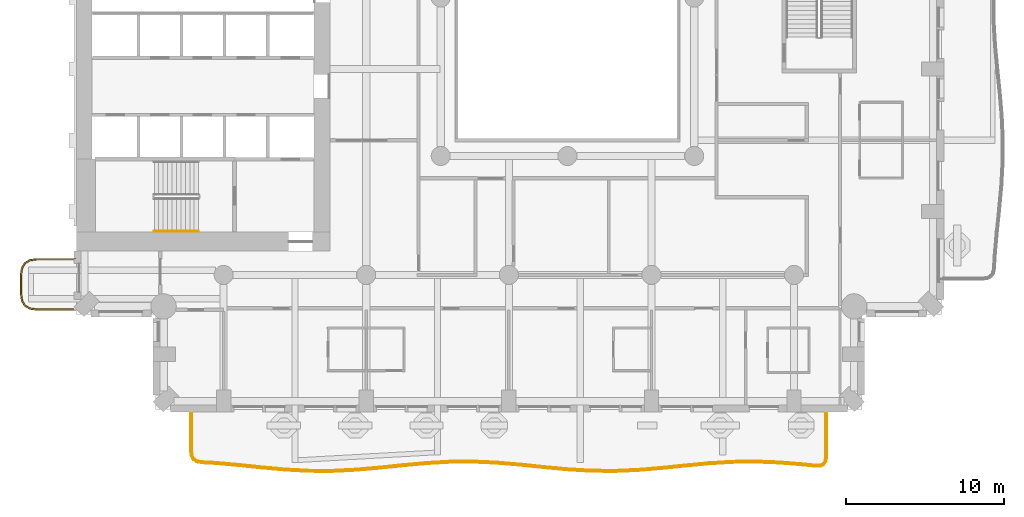
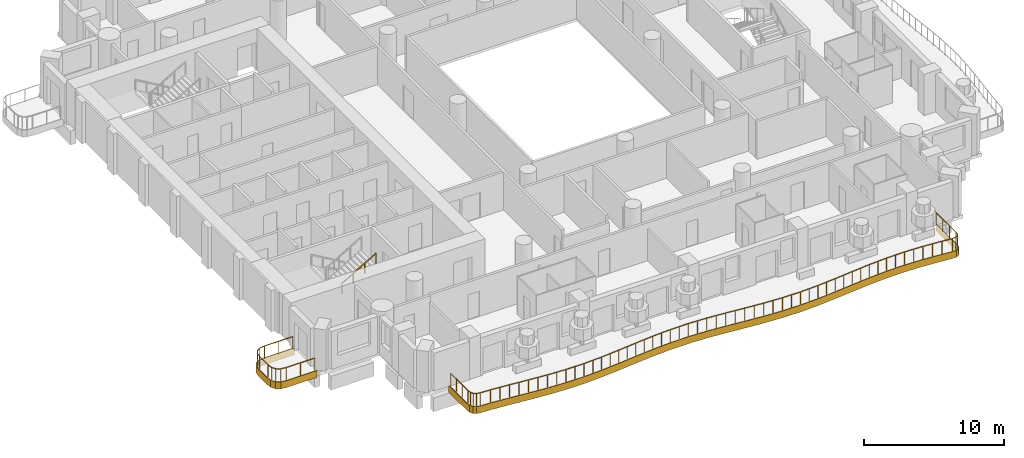
# One storey, part 12 of 19: 3 railings, 2 coverings.
"""IFC4 building model written with IfcOpenShell, lengths in metres."""

from ifc_helpers import new_model, si_unit, direction, frame, origin, origin_2d, place, context, subcontext, project, spatial, polyline, rectangle, outline, extrude, material, layer, layer_set, type_object, element, save


model = new_model("IFC4")

# Units and contexts
model_context = context("Model", 3, precision=1e-05, world=origin(), true_north=direction((0.0, 1.0)))
body_context = subcontext(model_context, "Body", "Model", "MODEL_VIEW")
ifc_project = project(units=[si_unit("LENGTHUNIT", "METRE"), si_unit("AREAUNIT", "SQUARE_METRE"), si_unit("VOLUMEUNIT", "CUBIC_METRE"), si_unit("PLANEANGLEUNIT", "RADIAN"), si_unit("MASSUNIT", "GRAM", prefix="KILO")], contexts=[model_context])

# Site, building, storey
site_placement = place(None, origin())
site = spatial("IfcSite", under=ifc_project, at=site_placement, CompositionType="ELEMENT")
building_placement = place(site_placement, origin())
building = spatial("IfcBuilding", under=site, at=building_placement, Name="Cypress Arch Tower", CompositionType="ELEMENT")
storey_placement = place(building_placement, frame((0.0, 0.0, 66.300048828125)))
storey = spatial("IfcBuildingStorey", under=building, at=storey_placement, Name="L10", CompositionType="ELEMENT", Elevation=66.300048828125)

# Coverings
ifc_material_1 = material(Name="White powder-coated aluminium fascia", Category="aluminium")
ifc_layer = layer(ifc_material_1, 0.050048828125)
ifc_layer_set = layer_set([ifc_layer], Name="Balcony fascia BF50")
covering_type = type_object("IfcCoveringType", Name="Balcony fascia BF50", PredefinedType="CLADDING", material=ifc_layer_set)
covering_1_placement = place(storey_placement, frame((0.0, 0.0, -0.60009765625)))
element("IfcCovering", 1, at=covering_1_placement, inside=storey, type_object=covering_type, Name="Balcony fascia L10-A00W1", PredefinedType="CLADDING", context=body_context, shape_type="SweptSolid", body=[
    extrude(outline(polyline([(-32.503662109375, -19.75), (-32.95458984375, -19.685546875), (-33.286376953125, -19.486328125), (-33.485595703125, -19.154541015625), (-33.550048828125, -18.70361328125), (-33.550048828125, -17.496337890625), (-33.485595703125, -17.04541015625), (-33.286376953125, -16.713623046875), (-32.95458984375, -16.514404296875), (-32.503662109375, -16.449951171875), (-30.0009765625, -16.449951171875), (-30.0009765625, -16.5), (-32.5, -16.5), (-32.9375, -16.5625), (-33.25, -16.75), (-33.4375, -17.0625), (-33.5, -17.5), (-33.5, -18.699951171875), (-33.4375, -19.137451171875), (-33.25, -19.449951171875), (-32.9375, -19.637451171875), (-32.5, -19.699951171875), (-30.0009765625, -19.699951171875), (-30.0009765625, -19.75), (-32.503662109375, -19.75)])), origin(), (0.0, 0.0, 1.0), 0.60009765625),
])
covering_2_placement = place(storey_placement, frame((0.0, 0.0, -0.60009765625)))
element("IfcCovering", 2, at=covering_2_placement, inside=storey, type_object=covering_type, Name="Balcony fascia L10-A03", PredefinedType="CLADDING", context=body_context, shape_type="SweptSolid", body=[
    extrude(outline(polyline([(17.39990234375, -28.96826171875), (17.356201171875, -29.272216796875), (17.2177734375, -29.489990234375), (16.98681640625, -29.60546875), (16.68017578125, -29.6181640625), (15.860107421875, -29.533935546875), (14.37646484375, -29.412109375), (12.893798828125, -29.352783203125), (11.4111328125, -29.37158203125), (9.927978515625, -29.463134765625), (8.44384765625, -29.60400390625), (6.958251953125, -29.7568359375), (5.4716796875, -29.8818359375), (3.984130859375, -29.94580078125), (2.496337890625, -29.931884765625), (1.00927734375, -29.84375), (-0.47705078125, -29.704833984375), (-1.962158203125, -29.55126953125), (-3.44580078125, -29.424072265625), (-4.9287109375, -29.35595703125), (-6.411376953125, -29.364990234375), (-7.89453125, -29.448974609375), (-9.37841796875, -29.585693359375), (-10.86376953125, -29.7392578125), (-12.350341796875, -29.86962890625), (-13.837646484375, -29.942138671875), (-15.325439453125, -29.937744140625), (-16.812744140625, -29.857666015625), (-18.29931640625, -29.722900390625), (-19.784423828125, -29.569091796875), (-21.268310546875, -29.436767578125), (-22.087646484375, -29.39453125), (-22.393310546875, -29.3349609375), (-22.6201171875, -29.18701171875), (-22.75634765625, -28.95263671875), (-22.800048828125, -28.64453125), (-22.800048828125, -26.0009765625), (-22.75, -26.0009765625), (-22.75, -28.64111328125), (-22.708251953125, -28.93603515625), (-22.5830078125, -29.151611328125), (-22.3740234375, -29.287841796875), (-22.081787109375, -29.3447265625), (-21.264892578125, -29.38671875), (-19.779541015625, -29.519287109375), (-18.29443359375, -29.673095703125), (-16.809326171875, -29.8076171875), (-15.323974609375, -29.8876953125), (-13.8388671875, -29.89208984375), (-12.353759765625, -29.819580078125), (-10.868408203125, -29.689453125), (-9.38330078125, -29.535888671875), (-7.898193359375, -29.399169921875), (-6.412841796875, -29.315185546875), (-4.927734375, -29.305908203125), (-3.442626953125, -29.3740234375), (-1.95751953125, -29.501708984375), (-0.47216796875, -29.655029296875), (1.012939453125, -29.7939453125), (2.498046875, -29.8818359375), (3.9833984375, -29.895751953125), (5.468505859375, -29.83203125), (6.95361328125, -29.70703125), (8.43896484375, -29.55419921875), (9.924072265625, -29.413330078125), (11.4091796875, -29.321533203125), (12.89453125, -29.302734375), (14.379638671875, -29.3623046875), (15.86474609375, -29.484130859375), (16.681640625, -29.568115234375), (16.97412109375, -29.555908203125), (17.182861328125, -29.451416015625), (17.308349609375, -29.25439453125), (17.35009765625, -28.964599609375), (17.35009765625, -26.0009765625), (17.39990234375, -26.0009765625), (17.39990234375, -28.96826171875)])), origin(), (0.0, 0.0, 1.0), 0.60009765625),
])

# Railings
ifc_material_2 = material(Name="Powder-coated steel posts and rods, 100 mm clear between rods", Category="steel")
railing_type_1 = type_object("IfcRailingType", Name="Balcony guard GR1100", PredefinedType="GUARDRAIL", material=ifc_material_2)
railing_1_placement = place(storey_placement, frame((-30.14990234375, -19.64990234375, 0.0)))
element("IfcRailing", 3, at=railing_1_placement, inside=storey, type_object=railing_type_1, Name="Balcony guard L10-A00W1", PredefinedType="GUARDRAIL", context=body_context, shape_type="SweptSolid", body=[
    extrude(rectangle(XDim=0.050048828125, YDim=0.050048828125, at=origin_2d()), frame((0.0, 0.0, 1.0751953125), z_axis=(-1.0, 0.0, 0.0), x_axis=(0.0, -1.0, 0.0)), (0.0, 0.0, 1.0), 2.346435546875),
    extrude(rectangle(XDim=0.050048828125, YDim=0.050048828125, at=origin_2d()), frame((-2.346435546875, 0.0, 1.0751953125), z_axis=(-0.989960888959, 0.141341566184, 0.0), x_axis=(-0.141341566184, -0.989960888959, 0.0)), (0.0, 0.0, 1.0), 0.428466796875),
    extrude(rectangle(XDim=0.050048828125, YDim=0.050048828125, at=origin_2d()), frame((-2.7705078125, 0.060546875, 1.0751953125), z_axis=(-0.857681904839, 0.514180659021, 0.0), x_axis=(-0.514180659021, -0.857681904839, 0.0)), (0.0, 0.0, 1.0), 0.341796875),
    extrude(rectangle(XDim=0.050048828125, YDim=0.050048828125, at=origin_2d()), frame((-3.063720703125, 0.236328125, 1.0751953125), z_axis=(-0.514180659021, 0.857681904839, 0.0), x_axis=(-0.857681904839, -0.514180659021, 0.0)), (0.0, 0.0, 1.0), 0.341796875),
    extrude(rectangle(XDim=0.050048828125, YDim=0.050048828125, at=origin_2d()), frame((-3.239501953125, 0.529541015625, 1.0751953125), z_axis=(-0.141421356237, 0.989949493661, 0.0), x_axis=(-0.989949493661, -0.141421356237, 0.0)), (0.0, 0.0, 1.0), 0.42822265625),
    extrude(rectangle(XDim=0.050048828125, YDim=0.050048828125, at=origin_2d()), frame((-3.300048828125, 0.953369140625, 1.0751953125), z_axis=(0.0, 1.0, 0.0), x_axis=(-1.0, 0.0, 0.0)), (0.0, 0.0, 1.0), 1.19287109375),
    extrude(rectangle(XDim=0.050048828125, YDim=0.050048828125, at=origin_2d()), frame((-3.300048828125, 2.146240234375, 1.0751953125), z_axis=(0.141341566184, 0.989960888959, 0.0), x_axis=(-0.989960888959, 0.141341566184, 0.0)), (0.0, 0.0, 1.0), 0.428466796875),
    extrude(rectangle(XDim=0.050048828125, YDim=0.050048828125, at=origin_2d()), frame((-3.239501953125, 2.5703125, 1.0751953125), z_axis=(0.514180659021, 0.857681904839, 0.0), x_axis=(-0.857681904839, 0.514180659021, 0.0)), (0.0, 0.0, 1.0), 0.341796875),
    extrude(rectangle(XDim=0.050048828125, YDim=0.050048828125, at=origin_2d()), frame((-3.063720703125, 2.863525390625, 1.0751953125), z_axis=(0.857681904839, 0.514180659021, 0.0), x_axis=(-0.514180659021, 0.857681904839, 0.0)), (0.0, 0.0, 1.0), 0.341796875),
    extrude(rectangle(XDim=0.050048828125, YDim=0.050048828125, at=origin_2d()), frame((-2.7705078125, 3.039306640625, 1.0751953125), z_axis=(0.989960888959, 0.141341566184, 0.0), x_axis=(-0.141341566184, 0.989960888959, 0.0)), (0.0, 0.0, 1.0), 0.428466796875),
    extrude(rectangle(XDim=0.050048828125, YDim=0.050048828125, at=origin_2d()), frame((-2.346435546875, 3.099853515625, 1.0751953125), z_axis=(1.0, 0.0, 0.0), x_axis=(0.0, 1.0, 0.0)), (0.0, 0.0, 1.0), 2.346435546875),
    extrude(rectangle(XDim=0.0400390625, YDim=0.0400390625, at=origin_2d()), origin(), (0.0, 0.0, 1.0), 1.050048828125),
    extrude(rectangle(XDim=0.0400390625, YDim=0.0400390625, at=origin_2d()), frame((-1.17333984375, 0.0, 0.0)), (0.0, 0.0, 1.0), 1.050048828125),
    extrude(rectangle(XDim=0.0400390625, YDim=0.0400390625, at=origin_2d()), frame((-2.346435546875, 0.0, 0.0)), (0.0, 0.0, 1.0), 1.050048828125),
    extrude(rectangle(XDim=0.0400390625, YDim=0.0400390625, at=origin_2d()), frame((-2.7705078125, 0.060546875, 0.0)), (0.0, 0.0, 1.0), 1.050048828125),
    extrude(rectangle(XDim=0.0400390625, YDim=0.0400390625, at=origin_2d()), frame((-3.063720703125, 0.236328125, 0.0)), (0.0, 0.0, 1.0), 1.050048828125),
    extrude(rectangle(XDim=0.0400390625, YDim=0.0400390625, at=origin_2d()), frame((-3.239501953125, 0.529541015625, 0.0)), (0.0, 0.0, 1.0), 1.050048828125),
    extrude(rectangle(XDim=0.0400390625, YDim=0.0400390625, at=origin_2d()), frame((-3.300048828125, 0.953369140625, 0.0)), (0.0, 0.0, 1.0), 1.050048828125),
    extrude(rectangle(XDim=0.0400390625, YDim=0.0400390625, at=origin_2d()), frame((-3.300048828125, 2.146240234375, 0.0)), (0.0, 0.0, 1.0), 1.050048828125),
    extrude(rectangle(XDim=0.0400390625, YDim=0.0400390625, at=origin_2d()), frame((-3.239501953125, 2.5703125, 0.0)), (0.0, 0.0, 1.0), 1.050048828125),
    extrude(rectangle(XDim=0.0400390625, YDim=0.0400390625, at=origin_2d()), frame((-3.063720703125, 2.863525390625, 0.0)), (0.0, 0.0, 1.0), 1.050048828125),
    extrude(rectangle(XDim=0.0400390625, YDim=0.0400390625, at=origin_2d()), frame((-2.7705078125, 3.039306640625, 0.0)), (0.0, 0.0, 1.0), 1.050048828125),
    extrude(rectangle(XDim=0.0400390625, YDim=0.0400390625, at=origin_2d()), frame((-2.346435546875, 3.099853515625, 0.0)), (0.0, 0.0, 1.0), 1.050048828125),
    extrude(rectangle(XDim=0.0400390625, YDim=0.0400390625, at=origin_2d()), frame((-1.17333984375, 3.099853515625, 0.0)), (0.0, 0.0, 1.0), 1.050048828125),
    extrude(rectangle(XDim=0.0400390625, YDim=0.0400390625, at=origin_2d()), frame((0.0, 3.099853515625, 0.0)), (0.0, 0.0, 1.0), 1.050048828125),
])
railing_2_placement = place(storey_placement, frame((17.300048828125, -26.14990234375, 0.0)))
element("IfcRailing", 4, at=railing_2_placement, inside=storey, type_object=railing_type_1, Name="Balcony guard L10-A03", PredefinedType="GUARDRAIL", context=body_context, shape_type="SweptSolid", body=[
    extrude(rectangle(XDim=0.050048828125, YDim=0.050048828125, at=origin_2d()), frame((0.0, 0.0, 1.0751953125), z_axis=(0.0, -1.0, 0.0), x_axis=(1.0, 0.0, 0.0)), (0.0, 0.0, 1.0), 2.811279296875),
    extrude(rectangle(XDim=0.050048828125, YDim=0.050048828125, at=origin_2d()), frame((0.0, -2.811279296875, 1.0751953125), z_axis=(-0.143018061021, -0.98972007872, 0.0), x_axis=(0.98972007872, -0.143018061021, 0.0)), (0.0, 0.0, 1.0), 0.2783203125),
    extrude(rectangle(XDim=0.050048828125, YDim=0.050048828125, at=origin_2d()), frame((-0.039794921875, -3.086669921875, 1.0751953125), z_axis=(-0.536497284338, -0.843902046388, 0.0), x_axis=(0.843902046388, -0.536497284338, 0.0)), (0.0, 0.0, 1.0), 0.208984375),
    extrude(rectangle(XDim=0.050048828125, YDim=0.050048828125, at=origin_2d()), frame((-0.15185546875, -3.262939453125, 1.0751953125), z_axis=(-0.893959883932, -0.448146991423, 0.0), x_axis=(0.448146991423, -0.893959883932, 0.0)), (0.0, 0.0, 1.0), 0.209228515625),
    extrude(rectangle(XDim=0.050048828125, YDim=0.050048828125, at=origin_2d()), frame((-0.3388671875, -3.356689453125, 1.0751953125), z_axis=(-0.999185469505, -0.040353407899, 0.0), x_axis=(0.040353407899, -0.999185469505, 0.0)), (0.0, 0.0, 1.0), 0.2783203125),
    extrude(rectangle(XDim=0.050048828125, YDim=0.050048828125, at=origin_2d()), frame((-0.616943359375, -3.367919921875, 1.0751953125), z_axis=(-0.994776777125, 0.102074304763, 0.0), x_axis=(-0.102074304763, -0.994776777125, 0.0)), (0.0, 0.0, 1.0), 0.818115234375),
    extrude(rectangle(XDim=0.050048828125, YDim=0.050048828125, at=origin_2d()), frame((-1.4306640625, -3.284423828125, 1.0751953125), z_axis=(-0.996646590477, 0.081826485261, 0.0), x_axis=(-0.081826485261, -0.996646590477, 0.0)), (0.0, 0.0, 1.0), 1.49169921875),
    extrude(rectangle(XDim=0.050048828125, YDim=0.050048828125, at=origin_2d()), frame((-2.91748046875, -3.162353515625, 1.0751953125), z_axis=(-0.999205667204, 0.039850152163, 0.0), x_axis=(-0.039850152163, -0.999205667204, 0.0)), (0.0, 0.0, 1.0), 1.48876953125),
    extrude(rectangle(XDim=0.050048828125, YDim=0.050048828125, at=origin_2d()), frame((-4.405029296875, -3.10302734375, 1.0751953125), z_axis=(-0.999922217095, -0.012472359839, 0.0), x_axis=(0.012472359839, -0.999922217095, 0.0)), (0.0, 0.0, 1.0), 1.487548828125),
    extrude(rectangle(XDim=0.050048828125, YDim=0.050048828125, at=origin_2d()), frame((-5.892578125, -3.12158203125, 1.0751953125), z_axis=(-0.998090640564, -0.061766278971, 0.0), x_axis=(0.061766278971, -0.998090640564, 0.0)), (0.0, 0.0, 1.0), 1.490234375),
    extrude(rectangle(XDim=0.050048828125, YDim=0.050048828125, at=origin_2d()), frame((-7.3798828125, -3.213623046875, 1.0751953125), z_axis=(-0.995537273942, -0.094369148524, 0.0), x_axis=(0.094369148524, -0.995537273942, 0.0)), (0.0, 0.0, 1.0), 1.49267578125),
    extrude(rectangle(XDim=0.050048828125, YDim=0.050048828125, at=origin_2d()), frame((-8.865966796875, -3.3544921875, 1.0751953125), z_axis=(-0.994729817654, -0.10253092153, 0.0), x_axis=(0.10253092153, -0.994729817654, 0.0)), (0.0, 0.0, 1.0), 1.492919921875),
    extrude(rectangle(XDim=0.050048828125, YDim=0.050048828125, at=origin_2d()), frame((-10.35107421875, -3.507568359375, 1.0751953125), z_axis=(-0.996496959309, -0.083629002674, 0.0), x_axis=(0.083629002674, -0.996496959309, 0.0)), (0.0, 0.0, 1.0), 1.48876953125),
    extrude(rectangle(XDim=0.050048828125, YDim=0.050048828125, at=origin_2d()), frame((-11.834716796875, -3.632080078125, 1.0751953125), z_axis=(-0.99907806451, -0.042930420619, 0.0), x_axis=(0.042930420619, -0.99907806451, 0.0)), (0.0, 0.0, 1.0), 1.484375),
    extrude(rectangle(XDim=0.050048828125, YDim=0.050048828125, at=origin_2d()), frame((-13.317626953125, -3.69580078125, 1.0751953125), z_axis=(-0.999955956233, 0.00938539264, 0.0), x_axis=(-0.00938539264, -0.999955956233, 0.0)), (0.0, 0.0, 1.0), 1.482666015625),
    extrude(rectangle(XDim=0.050048828125, YDim=0.050048828125, at=origin_2d()), frame((-14.80029296875, -3.681884765625, 1.0751953125), z_axis=(-0.998248205852, 0.059165188361, 0.0), x_axis=(-0.059165188361, -0.998248205852, 0.0)), (0.0, 0.0, 1.0), 1.485595703125),
    extrude(rectangle(XDim=0.050048828125, YDim=0.050048828125, at=origin_2d()), frame((-16.283203125, -3.593994140625, 1.0751953125), z_axis=(-0.995663193522, 0.09303120479, 0.0), x_axis=(-0.09303120479, -0.995663193522, 0.0)), (0.0, 0.0, 1.0), 1.490478515625),
    extrude(rectangle(XDim=0.050048828125, YDim=0.050048828125, at=origin_2d()), frame((-17.767333984375, -3.455322265625, 1.0751953125), z_axis=(-0.99471485071, 0.10267602338, 0.0), x_axis=(-0.10267602338, -0.99471485071, 0.0)), (0.0, 0.0, 1.0), 1.4931640625),
    extrude(rectangle(XDim=0.050048828125, YDim=0.050048828125, at=origin_2d()), frame((-19.252685546875, -3.302001953125, 1.0751953125), z_axis=(-0.996331517061, 0.085577497688, 0.0), x_axis=(-0.085577497688, -0.996331517061, 0.0)), (0.0, 0.0, 1.0), 1.491943359375),
    extrude(rectangle(XDim=0.050048828125, YDim=0.050048828125, at=origin_2d()), frame((-20.7392578125, -3.17431640625, 1.0751953125), z_axis=(-0.998945767218, 0.045905927264, 0.0), x_axis=(-0.045905927264, -0.998945767218, 0.0)), (0.0, 0.0, 1.0), 1.489013671875),
    extrude(rectangle(XDim=0.050048828125, YDim=0.050048828125, at=origin_2d()), frame((-22.226806640625, -3.10595703125, 1.0751953125), z_axis=(-0.999980558954, -0.006235520387, 0.0), x_axis=(0.006235520387, -0.999980558954, 0.0)), (0.0, 0.0, 1.0), 1.48779296875),
    extrude(rectangle(XDim=0.050048828125, YDim=0.050048828125, at=origin_2d()), frame((-23.714599609375, -3.115234375, 1.0751953125), z_axis=(-0.998400275103, -0.056541053006, 0.0), x_axis=(0.056541053006, -0.998400275103, 0.0)), (0.0, 0.0, 1.0), 1.48974609375),
    extrude(rectangle(XDim=0.050048828125, YDim=0.050048828125, at=origin_2d()), frame((-25.201904296875, -3.199462890625, 1.0751953125), z_axis=(-0.99579610902, -0.091597539595, 0.0), x_axis=(0.091597539595, -0.99579610902, 0.0)), (0.0, 0.0, 1.0), 1.49267578125),
    extrude(rectangle(XDim=0.050048828125, YDim=0.050048828125, at=origin_2d()), frame((-26.688232421875, -3.336181640625, 1.0751953125), z_axis=(-0.994679667362, -0.103016306171, 0.0), x_axis=(0.103016306171, -0.994679667362, 0.0)), (0.0, 0.0, 1.0), 1.4931640625),
    extrude(rectangle(XDim=0.050048828125, YDim=0.050048828125, at=origin_2d()), frame((-28.17333984375, -3.489990234375, 1.0751953125), z_axis=(-0.996191226422, -0.087195415014, 0.0), x_axis=(0.087195415014, -0.996191226422, 0.0)), (0.0, 0.0, 1.0), 1.489501953125),
    extrude(rectangle(XDim=0.050048828125, YDim=0.050048828125, at=origin_2d()), frame((-29.6572265625, -3.619873046875, 1.0751953125), z_axis=(-0.998814692157, -0.048674538834, 0.0), x_axis=(0.048674538834, -0.998814692157, 0.0)), (0.0, 0.0, 1.0), 1.484619140625),
    extrude(rectangle(XDim=0.050048828125, YDim=0.050048828125, at=origin_2d()), frame((-31.14013671875, -3.692138671875, 1.0751953125), z_axis=(-0.999995607562, 0.002963925726, 0.0), x_axis=(-0.002963925726, -0.999995607562, 0.0)), (0.0, 0.0, 1.0), 1.482666015625),
    extrude(rectangle(XDim=0.050048828125, YDim=0.050048828125, at=origin_2d()), frame((-32.622802734375, -3.687744140625, 1.0751953125), z_axis=(-0.998553983849, 0.053758174633, 0.0), x_axis=(-0.053758174633, -0.998553983849, 0.0)), (0.0, 0.0, 1.0), 1.485107421875),
    extrude(rectangle(XDim=0.050048828125, YDim=0.050048828125, at=origin_2d()), frame((-34.105712890625, -3.60791015625, 1.0751953125), z_axis=(-0.995916007174, 0.090284587027, 0.0), x_axis=(-0.090284587027, -0.995916007174, 0.0)), (0.0, 0.0, 1.0), 1.489990234375),
    extrude(rectangle(XDim=0.050048828125, YDim=0.050048828125, at=origin_2d()), frame((-35.589599609375, -3.473388671875, 1.0751953125), z_axis=(-0.99468140225, 0.102999553487, 0.0), x_axis=(-0.102999553487, -0.99468140225, 0.0)), (0.0, 0.0, 1.0), 1.493408203125),
    extrude(rectangle(XDim=0.050048828125, YDim=0.050048828125, at=origin_2d()), frame((-37.074951171875, -3.319580078125, 1.0751953125), z_axis=(-0.996045982329, 0.088839186663, 0.0), x_axis=(-0.088839186663, -0.996045982329, 0.0)), (0.0, 0.0, 1.0), 1.4921875),
    extrude(rectangle(XDim=0.050048828125, YDim=0.050048828125, at=origin_2d()), frame((-38.561279296875, -3.18701171875, 1.0751953125), z_axis=(-0.998673491608, 0.051490359879, 0.0), x_axis=(-0.051490359879, -0.998673491608, 0.0)), (0.0, 0.0, 1.0), 0.8154296875),
    extrude(rectangle(XDim=0.050048828125, YDim=0.050048828125, at=origin_2d()), frame((-39.375732421875, -3.14501953125, 1.0751953125), z_axis=(-0.981525976038, 0.191328927147, 0.0), x_axis=(-0.191328927147, -0.981525976038, 0.0)), (0.0, 0.0, 1.0), 0.28466796875),
    extrude(rectangle(XDim=0.050048828125, YDim=0.050048828125, at=origin_2d()), frame((-39.655029296875, -3.090576171875, 1.0751953125), z_axis=(-0.837781277944, 0.54600598012, 0.0), x_axis=(-0.54600598012, -0.837781277944, 0.0)), (0.0, 0.0, 1.0), 0.2275390625),
    extrude(rectangle(XDim=0.050048828125, YDim=0.050048828125, at=origin_2d()), frame((-39.845703125, -2.96630859375, 1.0751953125), z_axis=(-0.502471480426, 0.864593784016, 0.0), x_axis=(-0.864593784016, -0.502471480426, 0.0)), (0.0, 0.0, 1.0), 0.227783203125),
    extrude(rectangle(XDim=0.050048828125, YDim=0.050048828125, at=origin_2d()), frame((-39.960205078125, -2.769287109375, 1.0751953125), z_axis=(-0.139859558217, 0.990171350815, 0.0), x_axis=(-0.990171350815, -0.139859558217, 0.0)), (0.0, 0.0, 1.0), 0.284423828125),
    extrude(rectangle(XDim=0.050048828125, YDim=0.050048828125, at=origin_2d()), frame((-40.0, -2.487548828125, 1.0751953125), z_axis=(0.0, 1.0, 0.0), x_axis=(-1.0, 0.0, 0.0)), (0.0, 0.0, 1.0), 2.487548828125),
    extrude(rectangle(XDim=0.0400390625, YDim=0.0400390625, at=origin_2d()), origin(), (0.0, 0.0, 1.0), 1.050048828125),
    extrude(rectangle(XDim=0.0400390625, YDim=0.0400390625, at=origin_2d()), frame((0.0, -0.93701171875, 0.0)), (0.0, 0.0, 1.0), 1.050048828125),
    extrude(rectangle(XDim=0.0400390625, YDim=0.0400390625, at=origin_2d()), frame((0.0, -1.874267578125, 0.0)), (0.0, 0.0, 1.0), 1.050048828125),
    extrude(rectangle(XDim=0.0400390625, YDim=0.0400390625, at=origin_2d()), frame((0.0, -2.811279296875, 0.0)), (0.0, 0.0, 1.0), 1.050048828125),
    extrude(rectangle(XDim=0.0400390625, YDim=0.0400390625, at=origin_2d()), frame((-0.039794921875, -3.086669921875, 0.0)), (0.0, 0.0, 1.0), 1.050048828125),
    extrude(rectangle(XDim=0.0400390625, YDim=0.0400390625, at=origin_2d()), frame((-0.15185546875, -3.262939453125, 0.0)), (0.0, 0.0, 1.0), 1.050048828125),
    extrude(rectangle(XDim=0.0400390625, YDim=0.0400390625, at=origin_2d()), frame((-0.3388671875, -3.356689453125, 0.0)), (0.0, 0.0, 1.0), 1.050048828125),
    extrude(rectangle(XDim=0.0400390625, YDim=0.0400390625, at=origin_2d()), frame((-0.616943359375, -3.367919921875, 0.0)), (0.0, 0.0, 1.0), 1.050048828125),
    extrude(rectangle(XDim=0.0400390625, YDim=0.0400390625, at=origin_2d()), frame((-1.4306640625, -3.284423828125, 0.0)), (0.0, 0.0, 1.0), 1.050048828125),
    extrude(rectangle(XDim=0.0400390625, YDim=0.0400390625, at=origin_2d()), frame((-2.174072265625, -3.223388671875, 0.0)), (0.0, 0.0, 1.0), 1.050048828125),
    extrude(rectangle(XDim=0.0400390625, YDim=0.0400390625, at=origin_2d()), frame((-2.91748046875, -3.162353515625, 0.0)), (0.0, 0.0, 1.0), 1.050048828125),
    extrude(rectangle(XDim=0.0400390625, YDim=0.0400390625, at=origin_2d()), frame((-3.6611328125, -3.1328125, 0.0)), (0.0, 0.0, 1.0), 1.050048828125),
    extrude(rectangle(XDim=0.0400390625, YDim=0.0400390625, at=origin_2d()), frame((-4.405029296875, -3.10302734375, 0.0)), (0.0, 0.0, 1.0), 1.050048828125),
    extrude(rectangle(XDim=0.0400390625, YDim=0.0400390625, at=origin_2d()), frame((-5.14892578125, -3.1123046875, 0.0)), (0.0, 0.0, 1.0), 1.050048828125),
    extrude(rectangle(XDim=0.0400390625, YDim=0.0400390625, at=origin_2d()), frame((-5.892578125, -3.12158203125, 0.0)), (0.0, 0.0, 1.0), 1.050048828125),
    extrude(rectangle(XDim=0.0400390625, YDim=0.0400390625, at=origin_2d()), frame((-6.63623046875, -3.16748046875, 0.0)), (0.0, 0.0, 1.0), 1.050048828125),
    extrude(rectangle(XDim=0.0400390625, YDim=0.0400390625, at=origin_2d()), frame((-7.3798828125, -3.213623046875, 0.0)), (0.0, 0.0, 1.0), 1.050048828125),
    extrude(rectangle(XDim=0.0400390625, YDim=0.0400390625, at=origin_2d()), frame((-8.123046875, -3.2841796875, 0.0)), (0.0, 0.0, 1.0), 1.050048828125),
    extrude(rectangle(XDim=0.0400390625, YDim=0.0400390625, at=origin_2d()), frame((-8.865966796875, -3.3544921875, 0.0)), (0.0, 0.0, 1.0), 1.050048828125),
    extrude(rectangle(XDim=0.0400390625, YDim=0.0400390625, at=origin_2d()), frame((-9.6083984375, -3.43115234375, 0.0)), (0.0, 0.0, 1.0), 1.050048828125),
    extrude(rectangle(XDim=0.0400390625, YDim=0.0400390625, at=origin_2d()), frame((-10.35107421875, -3.507568359375, 0.0)), (0.0, 0.0, 1.0), 1.050048828125),
    extrude(rectangle(XDim=0.0400390625, YDim=0.0400390625, at=origin_2d()), frame((-11.0927734375, -3.56982421875, 0.0)), (0.0, 0.0, 1.0), 1.050048828125),
    extrude(rectangle(XDim=0.0400390625, YDim=0.0400390625, at=origin_2d()), frame((-11.834716796875, -3.632080078125, 0.0)), (0.0, 0.0, 1.0), 1.050048828125),
    extrude(rectangle(XDim=0.0400390625, YDim=0.0400390625, at=origin_2d()), frame((-12.576171875, -3.6640625, 0.0)), (0.0, 0.0, 1.0), 1.050048828125),
    extrude(rectangle(XDim=0.0400390625, YDim=0.0400390625, at=origin_2d()), frame((-13.317626953125, -3.69580078125, 0.0)), (0.0, 0.0, 1.0), 1.050048828125),
    extrude(rectangle(XDim=0.0400390625, YDim=0.0400390625, at=origin_2d()), frame((-14.05908203125, -3.68896484375, 0.0)), (0.0, 0.0, 1.0), 1.050048828125),
    extrude(rectangle(XDim=0.0400390625, YDim=0.0400390625, at=origin_2d()), frame((-14.80029296875, -3.681884765625, 0.0)), (0.0, 0.0, 1.0), 1.050048828125),
    extrude(rectangle(XDim=0.0400390625, YDim=0.0400390625, at=origin_2d()), frame((-15.541748046875, -3.637939453125, 0.0)), (0.0, 0.0, 1.0), 1.050048828125),
    extrude(rectangle(XDim=0.0400390625, YDim=0.0400390625, at=origin_2d()), frame((-16.283203125, -3.593994140625, 0.0)), (0.0, 0.0, 1.0), 1.050048828125),
    extrude(rectangle(XDim=0.0400390625, YDim=0.0400390625, at=origin_2d()), frame((-17.025390625, -3.524658203125, 0.0)), (0.0, 0.0, 1.0), 1.050048828125),
    extrude(rectangle(XDim=0.0400390625, YDim=0.0400390625, at=origin_2d()), frame((-17.767333984375, -3.455322265625, 0.0)), (0.0, 0.0, 1.0), 1.050048828125),
    extrude(rectangle(XDim=0.0400390625, YDim=0.0400390625, at=origin_2d()), frame((-18.510009765625, -3.378662109375, 0.0)), (0.0, 0.0, 1.0), 1.050048828125),
    extrude(rectangle(XDim=0.0400390625, YDim=0.0400390625, at=origin_2d()), frame((-19.252685546875, -3.302001953125, 0.0)), (0.0, 0.0, 1.0), 1.050048828125),
    extrude(rectangle(XDim=0.0400390625, YDim=0.0400390625, at=origin_2d()), frame((-19.99609375, -3.23828125, 0.0)), (0.0, 0.0, 1.0), 1.050048828125),
    extrude(rectangle(XDim=0.0400390625, YDim=0.0400390625, at=origin_2d()), frame((-20.7392578125, -3.17431640625, 0.0)), (0.0, 0.0, 1.0), 1.050048828125),
    extrude(rectangle(XDim=0.0400390625, YDim=0.0400390625, at=origin_2d()), frame((-21.48291015625, -3.14013671875, 0.0)), (0.0, 0.0, 1.0), 1.050048828125),
    extrude(rectangle(XDim=0.0400390625, YDim=0.0400390625, at=origin_2d()), frame((-22.226806640625, -3.10595703125, 0.0)), (0.0, 0.0, 1.0), 1.050048828125),
    extrude(rectangle(XDim=0.0400390625, YDim=0.0400390625, at=origin_2d()), frame((-22.970703125, -3.110595703125, 0.0)), (0.0, 0.0, 1.0), 1.050048828125),
    extrude(rectangle(XDim=0.0400390625, YDim=0.0400390625, at=origin_2d()), frame((-23.714599609375, -3.115234375, 0.0)), (0.0, 0.0, 1.0), 1.050048828125),
    extrude(rectangle(XDim=0.0400390625, YDim=0.0400390625, at=origin_2d()), frame((-24.458251953125, -3.1572265625, 0.0)), (0.0, 0.0, 1.0), 1.050048828125),
    extrude(rectangle(XDim=0.0400390625, YDim=0.0400390625, at=origin_2d()), frame((-25.201904296875, -3.199462890625, 0.0)), (0.0, 0.0, 1.0), 1.050048828125),
    extrude(rectangle(XDim=0.0400390625, YDim=0.0400390625, at=origin_2d()), frame((-25.945068359375, -3.267822265625, 0.0)), (0.0, 0.0, 1.0), 1.050048828125),
    extrude(rectangle(XDim=0.0400390625, YDim=0.0400390625, at=origin_2d()), frame((-26.688232421875, -3.336181640625, 0.0)), (0.0, 0.0, 1.0), 1.050048828125),
    extrude(rectangle(XDim=0.0400390625, YDim=0.0400390625, at=origin_2d()), frame((-27.4306640625, -3.4130859375, 0.0)), (0.0, 0.0, 1.0), 1.050048828125),
    extrude(rectangle(XDim=0.0400390625, YDim=0.0400390625, at=origin_2d()), frame((-28.17333984375, -3.489990234375, 0.0)), (0.0, 0.0, 1.0), 1.050048828125),
    extrude(rectangle(XDim=0.0400390625, YDim=0.0400390625, at=origin_2d()), frame((-28.915283203125, -3.554931640625, 0.0)), (0.0, 0.0, 1.0), 1.050048828125),
    extrude(rectangle(XDim=0.0400390625, YDim=0.0400390625, at=origin_2d()), frame((-29.6572265625, -3.619873046875, 0.0)), (0.0, 0.0, 1.0), 1.050048828125),
    extrude(rectangle(XDim=0.0400390625, YDim=0.0400390625, at=origin_2d()), frame((-30.398681640625, -3.656005859375, 0.0)), (0.0, 0.0, 1.0), 1.050048828125),
    extrude(rectangle(XDim=0.0400390625, YDim=0.0400390625, at=origin_2d()), frame((-31.14013671875, -3.692138671875, 0.0)), (0.0, 0.0, 1.0), 1.050048828125),
    extrude(rectangle(XDim=0.0400390625, YDim=0.0400390625, at=origin_2d()), frame((-31.88134765625, -3.68994140625, 0.0)), (0.0, 0.0, 1.0), 1.050048828125),
    extrude(rectangle(XDim=0.0400390625, YDim=0.0400390625, at=origin_2d()), frame((-32.622802734375, -3.687744140625, 0.0)), (0.0, 0.0, 1.0), 1.050048828125),
    extrude(rectangle(XDim=0.0400390625, YDim=0.0400390625, at=origin_2d()), frame((-33.3642578125, -3.64794921875, 0.0)), (0.0, 0.0, 1.0), 1.050048828125),
    extrude(rectangle(XDim=0.0400390625, YDim=0.0400390625, at=origin_2d()), frame((-34.105712890625, -3.60791015625, 0.0)), (0.0, 0.0, 1.0), 1.050048828125),
    extrude(rectangle(XDim=0.0400390625, YDim=0.0400390625, at=origin_2d()), frame((-34.84765625, -3.54052734375, 0.0)), (0.0, 0.0, 1.0), 1.050048828125),
    extrude(rectangle(XDim=0.0400390625, YDim=0.0400390625, at=origin_2d()), frame((-35.589599609375, -3.473388671875, 0.0)), (0.0, 0.0, 1.0), 1.050048828125),
    extrude(rectangle(XDim=0.0400390625, YDim=0.0400390625, at=origin_2d()), frame((-36.332275390625, -3.396484375, 0.0)), (0.0, 0.0, 1.0), 1.050048828125),
    extrude(rectangle(XDim=0.0400390625, YDim=0.0400390625, at=origin_2d()), frame((-37.074951171875, -3.319580078125, 0.0)), (0.0, 0.0, 1.0), 1.050048828125),
    extrude(rectangle(XDim=0.0400390625, YDim=0.0400390625, at=origin_2d()), frame((-37.818115234375, -3.25341796875, 0.0)), (0.0, 0.0, 1.0), 1.050048828125),
    extrude(rectangle(XDim=0.0400390625, YDim=0.0400390625, at=origin_2d()), frame((-38.561279296875, -3.18701171875, 0.0)), (0.0, 0.0, 1.0), 1.050048828125),
    extrude(rectangle(XDim=0.0400390625, YDim=0.0400390625, at=origin_2d()), frame((-39.375732421875, -3.14501953125, 0.0)), (0.0, 0.0, 1.0), 1.050048828125),
    extrude(rectangle(XDim=0.0400390625, YDim=0.0400390625, at=origin_2d()), frame((-39.655029296875, -3.090576171875, 0.0)), (0.0, 0.0, 1.0), 1.050048828125),
    extrude(rectangle(XDim=0.0400390625, YDim=0.0400390625, at=origin_2d()), frame((-39.845703125, -2.96630859375, 0.0)), (0.0, 0.0, 1.0), 1.050048828125),
    extrude(rectangle(XDim=0.0400390625, YDim=0.0400390625, at=origin_2d()), frame((-39.960205078125, -2.769287109375, 0.0)), (0.0, 0.0, 1.0), 1.050048828125),
    extrude(rectangle(XDim=0.0400390625, YDim=0.0400390625, at=origin_2d()), frame((-40.0, -2.487548828125, 0.0)), (0.0, 0.0, 1.0), 1.050048828125),
    extrude(rectangle(XDim=0.0400390625, YDim=0.0400390625, at=origin_2d()), frame((-40.0, -1.658447265625, 0.0)), (0.0, 0.0, 1.0), 1.050048828125),
    extrude(rectangle(XDim=0.0400390625, YDim=0.0400390625, at=origin_2d()), frame((-40.0, -0.8291015625, 0.0)), (0.0, 0.0, 1.0), 1.050048828125),
    extrude(rectangle(XDim=0.0400390625, YDim=0.0400390625, at=origin_2d()), frame((-40.0, 0.0, 0.0)), (0.0, 0.0, 1.0), 1.050048828125),
])
ifc_material_3 = material(Name="Black powder-coated steel square bar 48 mm", Category="steel")
railing_type_2 = type_object("IfcRailingType", Name="Stair handrail HR1", PredefinedType="HANDRAIL", material=ifc_material_3)
railing_3_placement = place(storey_placement, frame((-25.074951171875, -14.75, 1.963623046875)))
element("IfcRailing", 5, at=railing_3_placement, inside=storey, type_object=railing_type_2, Name="L10 A stair handrail 2", PredefinedType="HANDRAIL", context=body_context, shape_type="SweptSolid", body=[
    extrude(rectangle(XDim=0.048095703125, YDim=0.048095703125, at=origin_2d()), frame((0.0, 0.0, 0.8759765625), z_axis=(0.863393664356, 0.0, 0.504530851732), x_axis=(0.0, 1.0, 0.0)), (0.0, 0.0, 1.0), 3.2431640625),
    extrude(rectangle(XDim=0.0419921875, YDim=0.0419921875, at=origin_2d()), origin(), (0.0, 0.0, 1.0), 0.851806640625),
    extrude(rectangle(XDim=0.0419921875, YDim=0.0419921875, at=origin_2d()), frame((0.933349609375, 0.0, 0.54541015625)), (0.0, 0.0, 1.0), 0.851806640625),
    extrude(rectangle(XDim=0.0419921875, YDim=0.0419921875, at=origin_2d()), frame((1.86669921875, 0.0, 1.0908203125)), (0.0, 0.0, 1.0), 0.851806640625),
    extrude(rectangle(XDim=0.0419921875, YDim=0.0419921875, at=origin_2d()), frame((2.800048828125, 0.0, 1.63623046875)), (0.0, 0.0, 1.0), 0.851806640625),
])

save(model, "model.ifc")
